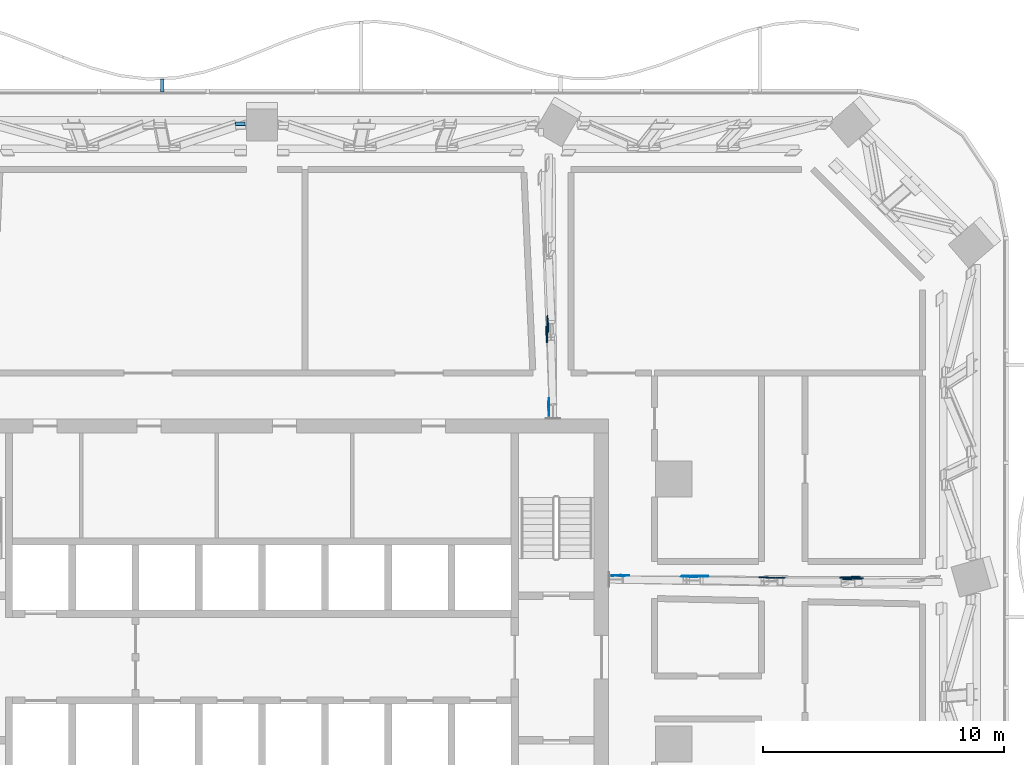
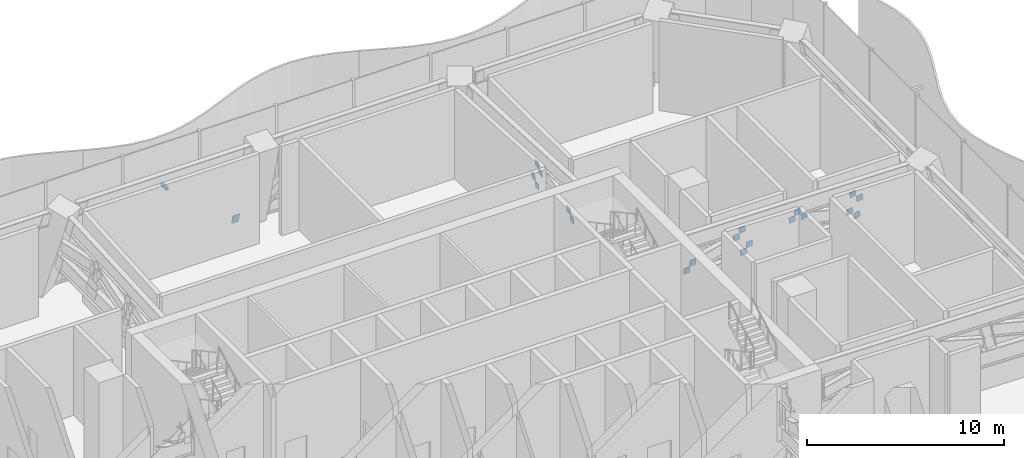
# One storey, part 24 of 32: 21 discrete accessories.
"""IFC4 building model written with IfcOpenShell, lengths in metres."""

from ifc_helpers import new_model, si_unit, direction, frame, origin, origin_2d, place, context, subcontext, project, spatial, rectangle, extrude, material, layer, layer_set, type_object, element, save


model = new_model("IFC4")

# Units and contexts
model_context = context("Model", 3, precision=1e-05, world=origin(), true_north=direction((0.0, 1.0)))
body_context = subcontext(model_context, "Body", "Model", "MODEL_VIEW")
ifc_project = project(units=[si_unit("LENGTHUNIT", "METRE"), si_unit("AREAUNIT", "SQUARE_METRE"), si_unit("VOLUMEUNIT", "CUBIC_METRE"), si_unit("PLANEANGLEUNIT", "RADIAN"), si_unit("MASSUNIT", "GRAM", prefix="KILO")], contexts=[model_context])

# Site, building, storey
site_placement = place(None, origin())
site = spatial("IfcSite", under=ifc_project, at=site_placement, CompositionType="ELEMENT")
building_placement = place(site_placement, origin())
building = spatial("IfcBuilding", under=site, at=building_placement, Name="Mopane Tessera Tower", CompositionType="ELEMENT")
storey_placement = place(building_placement, frame((0.0, 0.0, 88.60009765625)))
storey = spatial("IfcBuildingStorey", under=building, at=storey_placement, Name="L17", CompositionType="ELEMENT", Elevation=88.60009765625)

# Discrete accessories
ifc_material_1 = material(Name="Stainless steel S316", Category="steel")
discrete_accessory_type_1 = type_object("IfcDiscreteAccessoryType", Name="Louvre bracket 150 x 150", PredefinedType="BRACKET", material=ifc_material_1)
discrete_accessory_1_placement = place(storey_placement, frame((-4.13330078125, 27.333740234375, 2.489990234375), z_axis=(0.0, 0.0, 1.0), x_axis=(0.0, 1.0, 0.0)))
element("IfcDiscreteAccessory", 1, at=discrete_accessory_1_placement, inside=storey, type_object=discrete_accessory_type_1, Name="e:lv:L17:N:1:br1", PredefinedType="BRACKET", context=body_context, shape_type="SweptSolid", body=[
    extrude(rectangle(XDim=0.54736328125, YDim=0.14990234375, at=origin_2d()), origin(), (0.0, 0.0, 1.0), 0.14990234375),
])
ifc_material_2 = material(Name="Structural steel S460", Category="steel")
ifc_layer = layer(ifc_material_2, 0.030029296875)
ifc_layer_set = layer_set([ifc_layer], Name="Structural steel S460")
discrete_accessory_type_2 = type_object("IfcDiscreteAccessoryType", Name="Truss node plate 30 mm", PredefinedType="BRACKET", material=ifc_layer_set)
discrete_accessory_2_placement = place(storey_placement, frame((14.714111328125, 6.989501953125, 2.924560546875), z_axis=(-0.005991891135, -0.001997297045, 0.999980053824), x_axis=(-0.040581963088, 0.999174675891, 0.001752520879)))
element("IfcDiscreteAccessory", 2, at=discrete_accessory_2_placement, inside=storey, type_object=discrete_accessory_type_2, Name="Truss node plate s ot L17 E2 0", PredefinedType="BRACKET", context=body_context, shape_type="SweptSolid", body=[
    extrude(rectangle(XDim=0.030029296875, YDim=0.36669921875, at=origin_2d()), origin(), (0.0, 0.0, 1.0), 0.36669921875),
])
discrete_accessory_3_placement = place(storey_placement, frame((15.068603515625, 6.986328125, 3.30126953125), z_axis=(-0.013323161282, -0.003996948385, 0.999903254209), x_axis=(-0.010340183096, 0.999939091298, 0.003859314381)))
element("IfcDiscreteAccessory", 3, at=discrete_accessory_3_placement, inside=storey, type_object=discrete_accessory_type_2, Name="Truss node plate s ot L17 E2 2", PredefinedType="BRACKET", context=body_context, shape_type="SweptSolid", body=[
    extrude(rectangle(XDim=0.030029296875, YDim=0.36669921875, at=origin_2d()), origin(), (0.0, 0.0, 1.0), 0.366455078125),
])
for number, where, z_axis, x_axis, name in (
    (4, (17.605224609375, 6.955810546875, 3.98193359375), (-0.065757205028, -0.019262211574, 0.99764971668), (-0.005032684569, 0.999807346147, 0.018972155304), "Truss node plate s ot L17 E2 3"),
    (5, (18.0341796875, 6.973876953125, 2.924560546875), (-0.073024605033, -0.020579661418, 0.997117788727), (0.004944618345, 0.99976732247, 0.020996468052), "Truss node plate s ot L17 E2 4"),
):
    element("IfcDiscreteAccessory", number, at=place(storey_placement, frame(where, z_axis=z_axis, x_axis=x_axis)), inside=storey, type_object=discrete_accessory_type_2, Name=name, PredefinedType="BRACKET", context=body_context, shape_type="SweptSolid", body=[
        extrude(rectangle(XDim=0.030029296875, YDim=0.36669921875, at=origin_2d()), origin(), (0.0, 0.0, 1.0), 0.36767578125),
    ])
discrete_accessory_4_placement = place(storey_placement, frame((17.9296875, 6.944091796875, 4.358642578125), z_axis=(-0.073071959603, -0.021257297339, 0.997100103314), x_axis=(-0.003460081871, 0.999772211556, 0.021060694047)))
element("IfcDiscreteAccessory", 6, at=discrete_accessory_4_placement, inside=storey, type_object=discrete_accessory_type_2, Name="Truss node plate s ot L17 E2 5", PredefinedType="BRACKET", context=body_context, shape_type="SweptSolid", body=[
    extrude(rectangle(XDim=0.030029296875, YDim=0.36669921875, at=origin_2d()), origin(), (0.0, 0.0, 1.0), 0.367431640625),
])
discrete_accessory_5_placement = place(storey_placement, frame((18.363525390625, 6.963623046875, 3.30126953125), z_axis=(-0.08033057046, -0.023236115422, 0.996497407116), x_axis=(-0.002253040015, 0.999729930073, 0.023129866563)))
element("IfcDiscreteAccessory", 7, at=discrete_accessory_5_placement, inside=storey, type_object=discrete_accessory_type_2, Name="Truss node plate s ot L17 E2 6", PredefinedType="BRACKET", context=body_context, shape_type="SweptSolid", body=[
    extrude(rectangle(XDim=0.030029296875, YDim=0.36669921875, at=origin_2d()), origin(), (0.0, 0.0, 1.0), 0.36767578125),
])
discrete_accessory_6_placement = place(storey_placement, frame((20.854736328125, 6.919921875, 3.98193359375), z_axis=(-0.131249416504, -0.037594053974, 0.990636299443), x_axis=(-0.002757748487, 0.99929067765, 0.037557108307)))
element("IfcDiscreteAccessory", 8, at=discrete_accessory_6_placement, inside=storey, type_object=discrete_accessory_type_2, Name="Truss node plate s ot L17 E2 7", PredefinedType="BRACKET", context=body_context, shape_type="SweptSolid", body=[
    extrude(rectangle(XDim=0.030029296875, YDim=0.36669921875, at=origin_2d()), origin(), (0.0, 0.0, 1.0), 0.3701171875),
])
discrete_accessory_7_placement = place(storey_placement, frame((21.154052734375, 6.901123046875, 4.358642578125), z_axis=(-0.137802071333, -0.039560403253, 0.989669421388), x_axis=(-0.003884641974, 0.999215923679, 0.039401109426)))
element("IfcDiscreteAccessory", 9, at=discrete_accessory_7_placement, inside=storey, type_object=discrete_accessory_type_2, Name="Truss node plate s ot L17 E2 9", PredefinedType="BRACKET", context=body_context, shape_type="SweptSolid", body=[
    extrude(rectangle(XDim=0.030029296875, YDim=0.36669921875, at=origin_2d()), origin(), (0.0, 0.0, 1.0), 0.370361328125),
])
discrete_accessory_8_placement = place(storey_placement, frame((21.55859375, 6.912109375, 3.98193359375), z_axis=(-0.145444666474, -0.041461601755, 0.988497235491), x_axis=(-0.002619836206, 0.999134143433, 0.041522281781)))
element("IfcDiscreteAccessory", 10, at=discrete_accessory_8_placement, inside=storey, type_object=discrete_accessory_type_2, Name="Truss node plate s ot L17 E2 10", PredefinedType="BRACKET", context=body_context, shape_type="SweptSolid", body=[
    extrude(rectangle(XDim=0.030029296875, YDim=0.36669921875, at=origin_2d()), origin(), (0.0, 0.0, 1.0), 0.370849609375),
])
discrete_accessory_9_placement = place(storey_placement, frame((24.239501953125, 6.9228515625, 3.30126953125), z_axis=(-0.194426821139, -0.056109753752, 0.979310934666), x_axis=(-0.010727300189, 0.998424586255, 0.055075135884)))
element("IfcDiscreteAccessory", 11, at=discrete_accessory_9_placement, inside=storey, type_object=discrete_accessory_type_2, Name="Truss node plate s ot L17 E2 11", PredefinedType="BRACKET", context=body_context, shape_type="SweptSolid", body=[
    extrude(rectangle(XDim=0.030029296875, YDim=0.36669921875, at=origin_2d()), origin(), (0.0, 0.0, 1.0), 0.374267578125),
])
discrete_accessory_10_placement = place(storey_placement, frame((24.673828125, 6.9423828125, 2.924560546875), z_axis=(-0.201174731531, -0.057292480177, 0.977878468476), x_axis=(-0.00798279281, 0.99835083567, 0.056849660826)))
element("IfcDiscreteAccessory", 12, at=discrete_accessory_10_placement, inside=storey, type_object=discrete_accessory_type_2, Name="Truss node plate s ot L17 E2 12", PredefinedType="BRACKET", context=body_context, shape_type="SweptSolid", body=[
    extrude(rectangle(XDim=0.030029296875, YDim=0.36669921875, at=origin_2d()), origin(), (0.0, 0.0, 1.0), 0.375),
])
discrete_accessory_11_placement = place(storey_placement, frame((24.37890625, 6.858154296875, 4.356689453125), z_axis=(-0.201120707662, -0.057370971096, 0.977884979241), x_axis=(-0.008412074544, 0.998347781904, 0.056841387826)))
element("IfcDiscreteAccessory", 13, at=discrete_accessory_11_placement, inside=storey, type_object=discrete_accessory_type_2, Name="Truss node plate s ot L17 E2 13", PredefinedType="BRACKET", context=body_context, shape_type="SweptSolid", body=[
    extrude(rectangle(XDim=0.030029296875, YDim=0.37060546875, at=origin_2d()), origin(), (0.0, 0.0, 1.0), 0.378662109375),
])
discrete_accessory_12_placement = place(storey_placement, frame((24.7978515625, 6.876953125, 3.97607421875), z_axis=(-0.207748102916, -0.059816017248, 0.976351765408), x_axis=(-0.011660781017, 0.998209094863, 0.058673921972)))
element("IfcDiscreteAccessory", 14, at=discrete_accessory_12_placement, inside=storey, type_object=discrete_accessory_type_2, Name="Truss node plate s ot L17 E2 14", PredefinedType="BRACKET", context=body_context, shape_type="SweptSolid", body=[
    extrude(rectangle(XDim=0.030029296875, YDim=0.37060546875, at=origin_2d()), origin(), (0.0, 0.0, 1.0), 0.379638671875),
])
for number, where, z_axis, x_axis, name in (
    (15, (11.924560546875, 13.81298828125, 2.92333984375), (-0.003970761949, -0.006617936582, 0.999970217539), (-0.99997325451, 0.006168122656, -0.003929952548), "Truss node plate s ot L17 N1 0"),
    (16, (11.917724609375, 14.160400390625, 3.30224609375), (-0.008602424679, -0.013896224482, 0.999866437698), (-0.999762427987, 0.020145457236, -0.008321546633), "Truss node plate s ot L17 N1 2"),
):
    element("IfcDiscreteAccessory", number, at=place(storey_placement, frame(where, z_axis=z_axis, x_axis=x_axis)), inside=storey, type_object=discrete_accessory_type_2, Name=name, PredefinedType="BRACKET", context=body_context, shape_type="SweptSolid", body=[
        extrude(rectangle(XDim=0.030029296875, YDim=0.368896484375, at=origin_2d()), origin(), (0.0, 0.0, 1.0), 0.368896484375),
    ])
discrete_accessory_13_placement = place(storey_placement, frame((11.847412109375, 16.86376953125, 3.978515625), z_axis=(-0.042206617528, -0.072542623876, 0.996471860696), x_axis=(-0.99908223814, -0.00422231076, -0.042624564808)))
element("IfcDiscreteAccessory", 17, at=discrete_accessory_13_placement, inside=storey, type_object=discrete_accessory_type_2, Name="Truss node plate s ot L17 N1 3", PredefinedType="BRACKET", context=body_context, shape_type="SweptSolid", body=[
    extrude(rectangle(XDim=0.030029296875, YDim=0.368896484375, at=origin_2d()), origin(), (0.0, 0.0, 1.0), 0.3701171875),
])
for number, where, z_axis, x_axis, name in (
    (18, (11.888916015625, 17.293701171875, 2.92333984375), (-0.046785044026, -0.08039120241, 0.99566481018), (-0.998879005408, -0.003422998317, -0.047212452137), "Truss node plate s ot L17 N1 4"),
    (19, (11.821533203125, 17.177978515625, 4.357421875), (-0.046785044026, -0.08039120241, 0.99566481018), (-0.998879005408, -0.003422998317, -0.047212452137), "Truss node plate s ot L17 N1 5"),
):
    element("IfcDiscreteAccessory", number, at=place(storey_placement, frame(where, z_axis=z_axis, x_axis=x_axis)), inside=storey, type_object=discrete_accessory_type_2, Name=name, PredefinedType="BRACKET", context=body_context, shape_type="SweptSolid", body=[
        extrude(rectangle(XDim=0.030029296875, YDim=0.368896484375, at=origin_2d()), origin(), (0.0, 0.0, 1.0), 0.37060546875),
    ])
discrete_accessory_14_placement = place(storey_placement, frame((11.865966796875, 17.613037109375, 3.30224609375), z_axis=(-0.051351797699, -0.088219755022, 0.994776491327), x_axis=(-0.998655164756, -0.002576647574, -0.051780525232)))
element("IfcDiscreteAccessory", 20, at=discrete_accessory_14_placement, inside=storey, type_object=discrete_accessory_type_2, Name="Truss node plate s ot L17 N1 6", PredefinedType="BRACKET", context=body_context, shape_type="SweptSolid", body=[
    extrude(rectangle(XDim=0.030029296875, YDim=0.368896484375, at=origin_2d()), origin(), (0.0, 0.0, 1.0), 0.370849609375),
])
discrete_accessory_15_placement = place(storey_placement, frame((-0.90234375, 25.801025390625, 0.1298828125), z_axis=(0.010255942011, -0.242723960917, 0.970041181832), x_axis=(-0.002837056043, -0.970095361136, -0.24270752237)))
element("IfcDiscreteAccessory", 21, at=discrete_accessory_15_placement, inside=storey, type_object=discrete_accessory_type_2, Name="Truss node plate s bt L17 N2-N3 1", PredefinedType="BRACKET", context=body_context, shape_type="SweptSolid", body=[
    extrude(rectangle(XDim=0.030029296875, YDim=0.4130859375, at=origin_2d()), origin(), (0.0, 0.0, 1.0), 0.5712890625),
])

save(model, "model.ifc")
